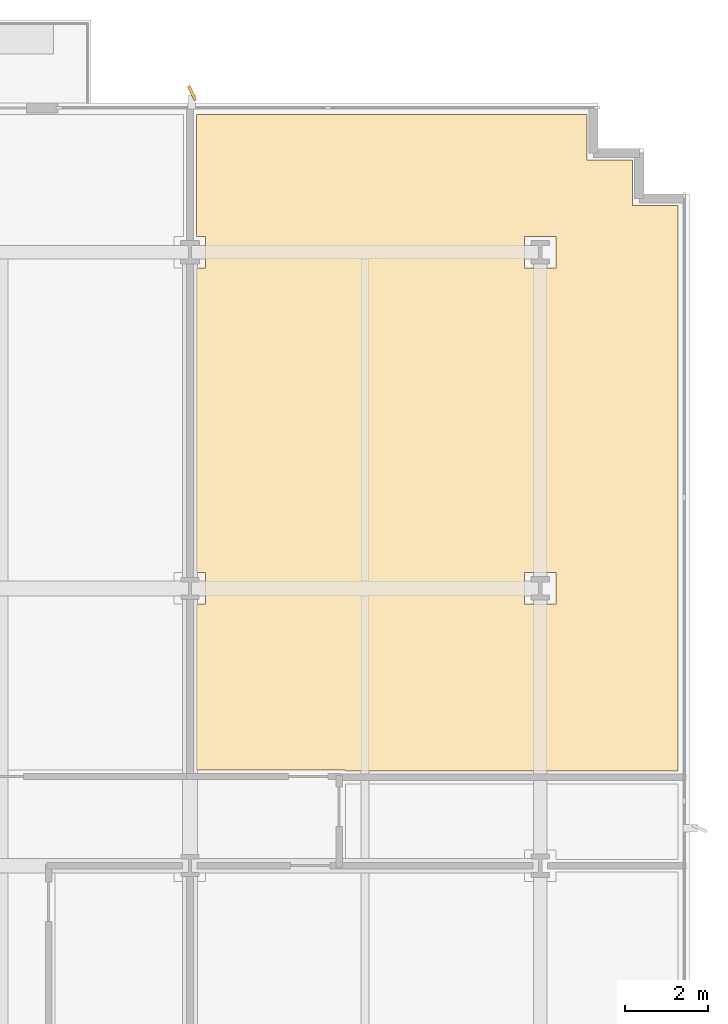
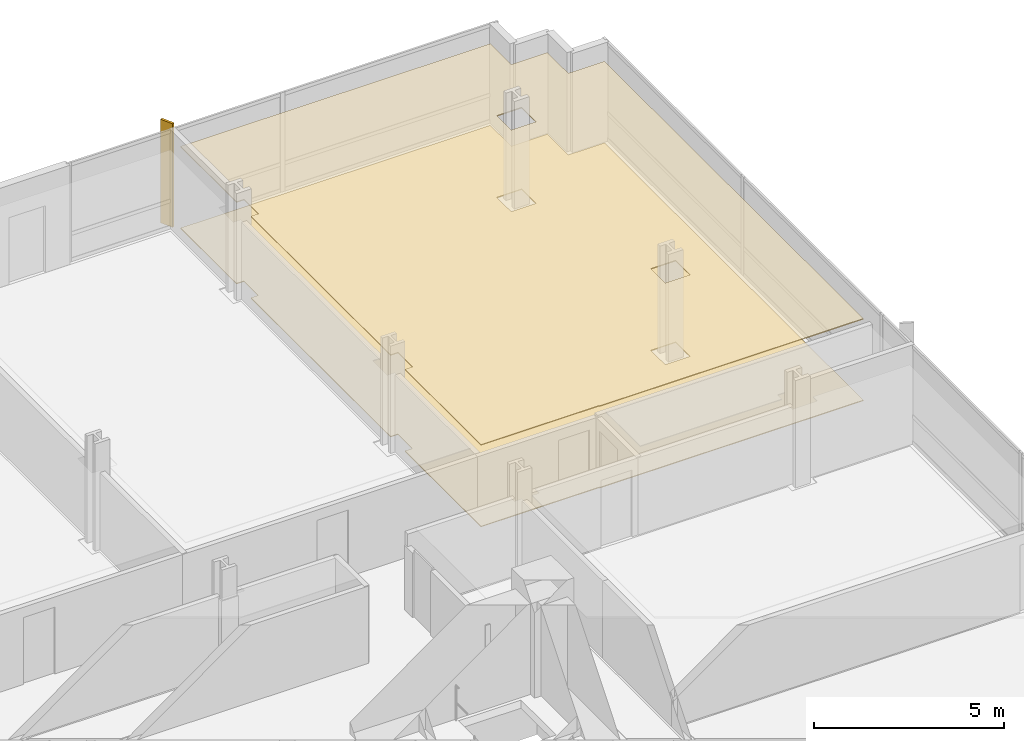
# One storey, part 20 of 21: 2 coverings, 1 shading device.
"""IFC4 building model written with IfcOpenShell, lengths in metres."""

from ifc_helpers import new_model, si_unit, direction, frame, origin, origin_2d, place, context, subcontext, project, spatial, polyline, rectangle, outline, extrude, material, layer, layer_set, type_object, element, save


model = new_model("IFC4")

# Units and contexts
model_context = context("Model", 3, precision=1e-05, world=origin(), true_north=direction((0.0, 1.0)))
body_context = subcontext(model_context, "Body", "Model", "MODEL_VIEW")
ifc_project = project(units=[si_unit("LENGTHUNIT", "METRE"), si_unit("AREAUNIT", "SQUARE_METRE"), si_unit("VOLUMEUNIT", "CUBIC_METRE"), si_unit("PLANEANGLEUNIT", "RADIAN"), si_unit("MASSUNIT", "GRAM", prefix="KILO")], contexts=[model_context])

# Site, building, storey
site_placement = place(None, origin())
site = spatial("IfcSite", under=ifc_project, at=site_placement, CompositionType="ELEMENT")
building_placement = place(site_placement, origin())
building = spatial("IfcBuilding", under=site, at=building_placement, Name="Solmavex Isthmus Hotel", CompositionType="ELEMENT")
storey_placement = place(building_placement, frame((0.0, 0.0, 60.89990234375)))
storey = spatial("IfcBuildingStorey", under=building, at=storey_placement, Name="L16", CompositionType="ELEMENT", Elevation=60.89990234375)

# Coverings
ifc_material_1 = material(Name="Gypsum plasterboard lining", Category="gypsum")
ifc_layer_1 = layer(ifc_material_1, 0.030029296875)
ifc_layer_set_1 = layer_set([ifc_layer_1], Name="Gypsum plasterboard lining")
covering_type_1 = type_object("IfcCoveringType", Name="COV-CEIL-GYP", PredefinedType="CEILING", material=ifc_layer_set_1)
covering_1_placement = place(storey_placement, frame((0.0, 0.0, 2.6201171875)))
element("IfcCovering", 1, at=covering_1_placement, inside=storey, type_object=covering_type_1, Name="Suspended Acoustic Ceiling L16-RM05", PredefinedType="CEILING", context=body_context, shape_type="SweptSolid", body=[
    extrude(outline(polyline([(18.10693359375, 9.16796875), (18.33203125, 9.16796875), (18.33203125, 8.407958984375), (18.10693359375, 8.407958984375), (18.10693359375, 4.405029296875), (21.70703125, 4.405029296875), (21.70703125, 4.385009765625), (29.72509765625, 4.385009765625), (29.72509765625, 18.02490234375), (28.625, 18.02490234375), (28.625, 19.125), (27.52490234375, 19.125), (27.52490234375, 20.22509765625), (18.10693359375, 20.22509765625), (18.10693359375, 17.280029296875), (18.33203125, 17.280029296875), (18.33203125, 16.52001953125), (18.10693359375, 16.52001953125), (18.10693359375, 9.16796875)]), holes=[polyline([(26.02001953125, 8.407958984375), (26.02001953125, 9.16796875), (26.780029296875, 9.16796875), (26.780029296875, 8.407958984375), (26.02001953125, 8.407958984375)]), polyline([(26.02001953125, 16.52001953125), (26.02001953125, 17.280029296875), (26.780029296875, 17.280029296875), (26.780029296875, 16.52001953125), (26.02001953125, 16.52001953125)])]), origin(), (0.0, 0.0, 1.0), 0.030029296875),
])
ifc_material_2 = material(Name="Travertine natural stone", Category="masonry")
ifc_layer_2 = layer(ifc_material_2, 0.02490234375)
ifc_layer_set_2 = layer_set([ifc_layer_2], Name="Travertine natural stone")
covering_type_2 = type_object("IfcCoveringType", Name="COV-FLOR-STN", PredefinedType="FLOORING", material=ifc_layer_set_2)
covering_2_placement = place(storey_placement, origin())
element("IfcCovering", 2, at=covering_2_placement, inside=storey, type_object=covering_type_2, Name="Stone and Timber Floor Finish L16-RM05", PredefinedType="FLOORING", context=body_context, shape_type="SweptSolid", body=[
    extrude(outline(polyline([(18.10693359375, 9.16796875), (18.33203125, 9.16796875), (18.33203125, 8.407958984375), (18.10693359375, 8.407958984375), (18.10693359375, 4.405029296875), (21.70703125, 4.405029296875), (21.70703125, 4.385009765625), (29.72509765625, 4.385009765625), (29.72509765625, 18.02490234375), (28.625, 18.02490234375), (28.625, 19.125), (27.52490234375, 19.125), (27.52490234375, 20.22509765625), (18.10693359375, 20.22509765625), (18.10693359375, 17.280029296875), (18.33203125, 17.280029296875), (18.33203125, 16.52001953125), (18.10693359375, 16.52001953125), (18.10693359375, 9.16796875)]), holes=[polyline([(26.02001953125, 8.407958984375), (26.02001953125, 9.16796875), (26.780029296875, 9.16796875), (26.780029296875, 8.407958984375), (26.02001953125, 8.407958984375)]), polyline([(26.02001953125, 16.52001953125), (26.02001953125, 17.280029296875), (26.780029296875, 17.280029296875), (26.780029296875, 16.52001953125), (26.02001953125, 16.52001953125)])]), origin(), (0.0, 0.0, 1.0), 0.025146484375),
])

# Shading device
ifc_material_3 = material(Name="Aluminium alloy 6063-T6", Category="aluminium")
shading_device_type = type_object("IfcShadingDeviceType", Name="SHD-FIN-CHAMP", PredefinedType="USERDEFINED", material=ifc_material_3)
shading_device_placement = place(storey_placement, frame((18.0, 20.739990234375, -0.139892578125), z_axis=(0.0, 0.0, 1.0), x_axis=(-0.438371146789, 0.898794046299, 0.0)))
element("IfcShadingDevice", 3, at=shading_device_placement, inside=storey, type_object=shading_device_type, Name="Anodised Aluminium Solar Fin L16-N4", ObjectType="SOLAR_FIN", PredefinedType="USERDEFINED", context=body_context, shape_type="SweptSolid", body=[
    extrude(rectangle(XDim=0.3798828125, YDim=0.070068359375, at=origin_2d()), origin(), (0.0, 0.0, 1.0), 3.330078125),
])

save(model, "model.ifc")
